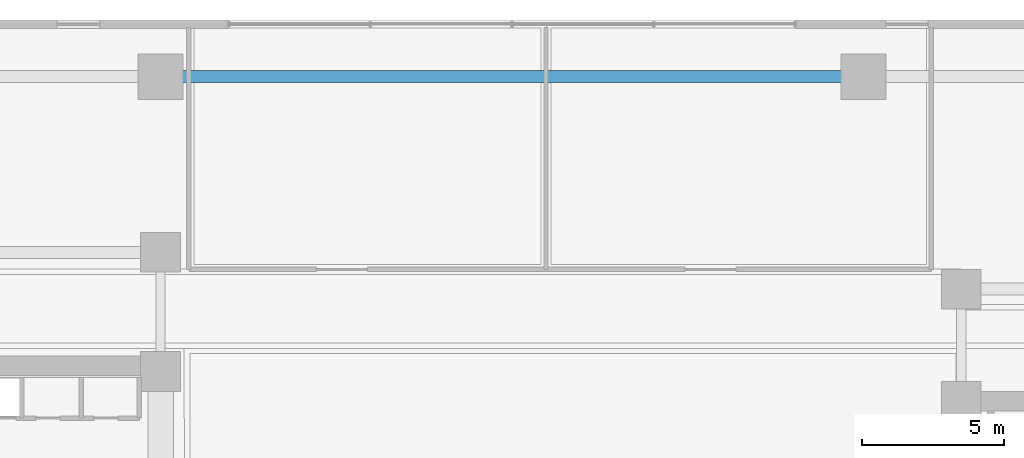
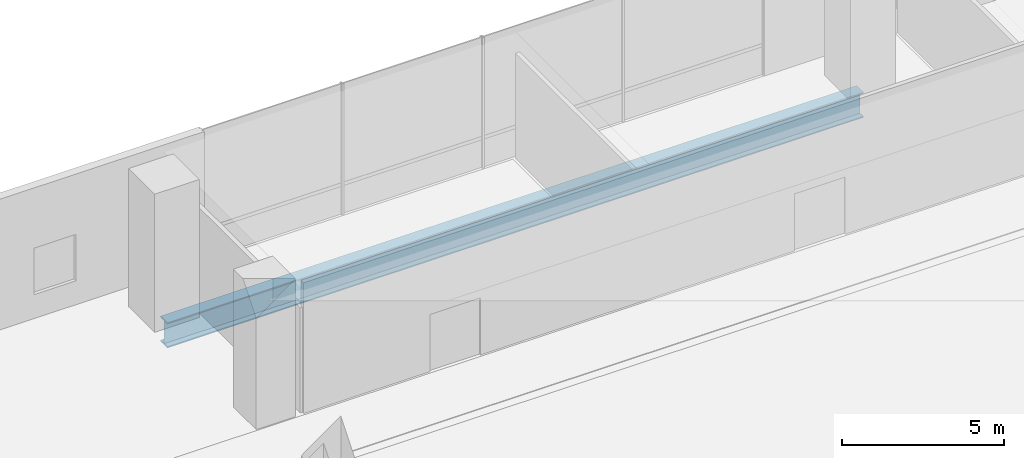
# One storey, part 15 of 39: 1 beam.
"""IFC4 building model written with IfcOpenShell, lengths in metres."""

from ifc_helpers import new_model, si_unit, direction, frame, origin, origin_2d, place, context, subcontext, project, spatial, i_section, extrude, source, transform, mapped, material, material_profile, profile_set, type_object, element, save


model = new_model("IFC4")

# Units and contexts
model_context = context("Model", 3, precision=1e-05, world=origin(), true_north=direction((0.0, 1.0)))
body_context = subcontext(model_context, "Body", "Model", "MODEL_VIEW")
ifc_project = project(units=[si_unit("LENGTHUNIT", "METRE"), si_unit("AREAUNIT", "SQUARE_METRE"), si_unit("VOLUMEUNIT", "CUBIC_METRE"), si_unit("PLANEANGLEUNIT", "RADIAN"), si_unit("MASSUNIT", "GRAM", prefix="KILO")], contexts=[model_context])

# Site, building, storey
site_placement = place(None, origin())
site = spatial("IfcSite", under=ifc_project, at=site_placement, CompositionType="ELEMENT")
building_placement = place(site_placement, origin())
building = spatial("IfcBuilding", under=site, at=building_placement, Name="Valdorenza Pilgrim Sanctuary Tower", CompositionType="ELEMENT")
storey_placement = place(building_placement, frame((0.0, 0.0, 5.199951171875)))
storey = spatial("IfcBuildingStorey", under=building, at=storey_placement, Name="L01", CompositionType="ELEMENT", Elevation=5.199951171875)

# Beam
ifc_material = material(Name="Steel ASTM A992 Grade 50", Category="steel")
ifc_material_profile = material_profile(ifc_material, i_section(OverallWidth=0.423095703125, OverallDepth=0.947998046875, WebThickness=0.02392578125, FlangeThickness=0.042724609375, at=origin_2d()), Name="W36X302")
ifc_profile_set = profile_set([ifc_material_profile], Name="Steel ASTM A992 Grade 50")
beam_type = type_object("IfcBeamType", Name="STR-BM-GRD-W36A", PredefinedType="BEAM", material=ifc_profile_set)
shared_shape = source(origin(), body_context, "Body", "SweptSolid", [
    extrude(i_section(OverallWidth=0.423095703125, OverallDepth=0.947998046875, WebThickness=0.02392578125, FlangeThickness=0.042724609375, at=origin_2d()), origin(), (0.0, 0.0, 1.0), 24.7998046875),
])
beam_placement = place(storey_placement, frame((-12.39990234375, 21.0, -0.75390625), z_axis=(1.0, 0.0, 0.0), x_axis=(0.0, 1.0, 0.0)))
element("IfcBeam", 1, at=beam_placement, inside=storey, type_object=beam_type, Name="L01 Floor Girder POD-N-TIE2", PredefinedType="BEAM", context=body_context, shape_type="MappedRepresentation", body=[
    mapped(shared_shape, transform((0.0, 0.0, 0.0), x_axis=(1.0, 0.0, 0.0), y_axis=(0.0, 1.0, 0.0), z_axis=(0.0, 0.0, 1.0), scale=1.0)),
])

save(model, "model.ifc")
